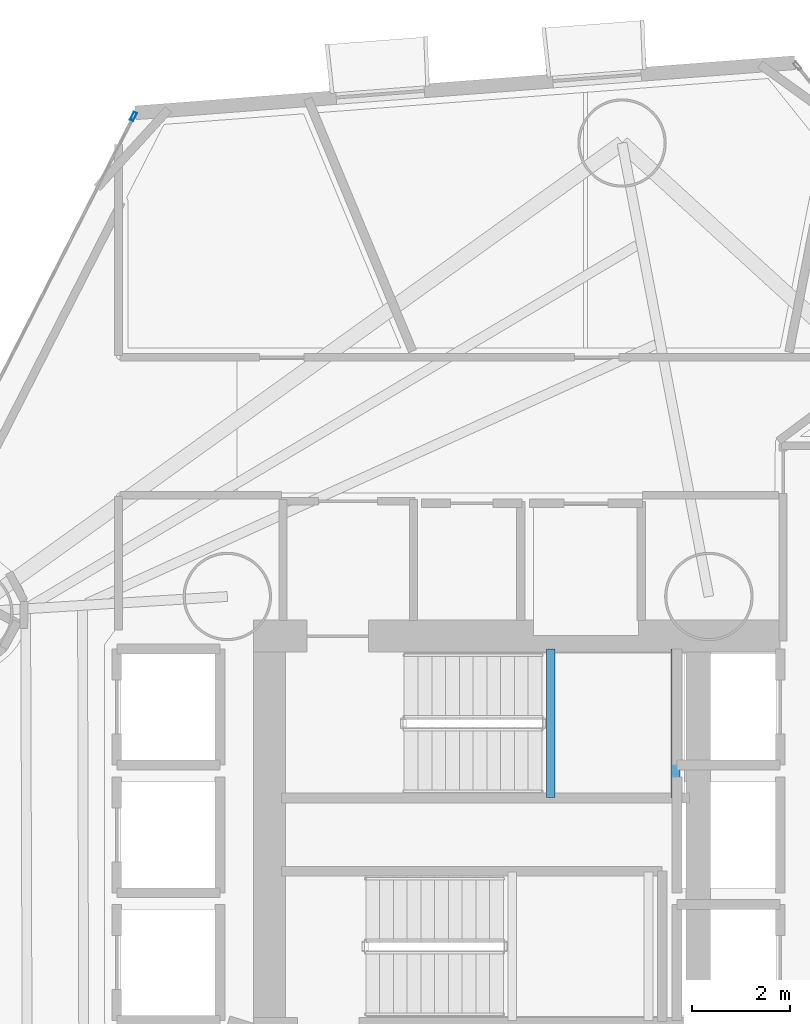
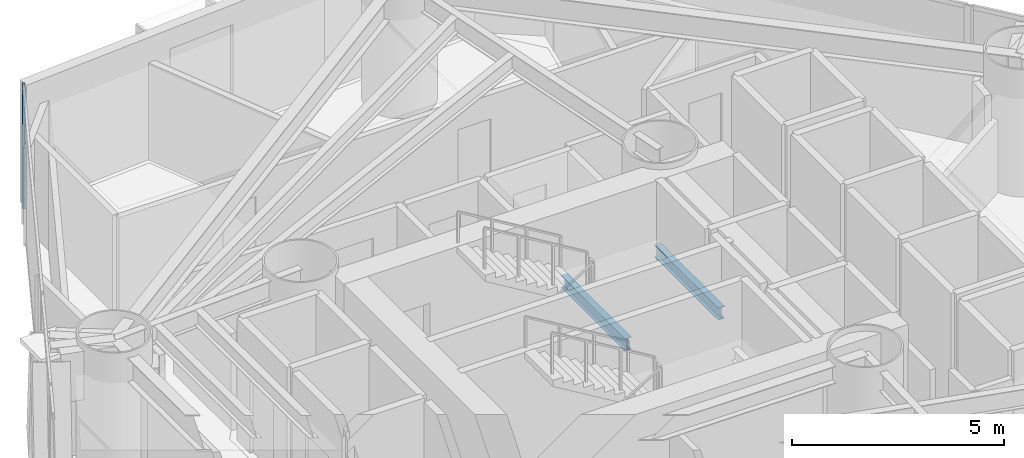
# One storey, part 9 of 23: 2 beams, 1 member, 1 element without a shape of its own.
"""IFC4 building model written with IfcOpenShell, lengths in metres."""

import ifcopenshell
import ifcopenshell.guid

model = None  # the IFC model being written
_history = None  # IfcOwnerHistory: only IFC2X3 demands one
_inside = {}  # id of a spatial element -> (the spatial element, [elements in it])
_under = {}  # id of a project, library or spatial element -> (it, [spatial elements below it])
_declared = {}  # id of a project -> (the project, [libraries it declares])
_typed = {}  # id of a type object -> (the type object, [elements of that type])
_made_of = {}  # id of a material, layer set ... -> (it, [elements and type objects made of it])


def new_model(schema):
    """Start an empty IFC model of exactly this schema.

    Asked for "IFC4X3", IfcOpenShell would pick the latest addendum, in which some entities
    have other attributes; the version numbers below select the first issue.
    IFC2X3 requires an IfcOwnerHistory on every rooted entity: one is made here for all.
    """
    global model, _history
    if schema == "IFC4X3":
        model = ifcopenshell.file(schema_version=(4, 3, 0, 0))
    else:
        model = ifcopenshell.file(schema=schema)
    _inside.clear()
    _under.clear()
    _declared.clear()
    _typed.clear()
    _made_of.clear()
    _history = None
    if model.schema == "IFC2X3":
        org = make("IfcOrganization", Name="unknown")
        user = make(
            "IfcPersonAndOrganization",
            ThePerson=make("IfcPerson", FamilyName="unknown"),
            TheOrganization=org,
        )
        app = make(
            "IfcApplication",
            ApplicationDeveloper=org,
            Version="unknown",
            ApplicationFullName="unknown",
            ApplicationIdentifier="unknown",
        )
        _history = make(
            "IfcOwnerHistory",
            OwningUser=user,
            OwningApplication=app,
            ChangeAction="ADDED",
            CreationDate=0,
        )
    return model


def make(cls, **values):
    """One entity of the class cls with the attributes given. An attribute that is None is left unset."""
    return model.create_entity(
        cls, **{name: value for name, value in values.items() if value is not None}
    )


def rooted(cls, **values):
    """An entity with a GlobalId (a new one), such as an element, a storey or a relation."""
    return make(cls, GlobalId=ifcopenshell.guid.new(), OwnerHistory=_history, **values)


def si_unit(unit_type, name, prefix=None):
    """IfcSIUnit, for example si_unit("LENGTHUNIT", "METRE", prefix="MILLI")."""
    return make("IfcSIUnit", UnitType=unit_type, Prefix=prefix, Name=name)


def assignment(units):
    """IfcUnitAssignment: the units of a project."""
    return None if units is None else make("IfcUnitAssignment", Units=units)


def point(xyz):
    """IfcCartesianPoint."""
    return None if xyz is None else make("IfcCartesianPoint", Coordinates=xyz)


def direction(xyz):
    """IfcDirection."""
    return None if xyz is None else make("IfcDirection", DirectionRatios=xyz)


def frame(location, z_axis=None, x_axis=None):
    """IfcAxis2Placement3D, a coordinate frame: its origin and axes. An axis left out is left unset."""
    return make(
        "IfcAxis2Placement3D",
        Location=point(location),
        Axis=direction(z_axis),
        RefDirection=direction(x_axis),
    )


def frame_2d(location, x_axis=None):
    """IfcAxis2Placement2D, a coordinate frame in the plane: its origin and x axis."""
    return make(
        "IfcAxis2Placement2D", Location=point(location), RefDirection=direction(x_axis)
    )


def origin():
    """The frame at (0, 0, 0) with its axes left unset."""
    return frame((0.0, 0.0, 0.0))


def origin_2d():
    """The frame at (0, 0) in the plane with its x axis left unset."""
    return frame_2d((0.0, 0.0))


def place(relative_to, where):
    """IfcLocalPlacement: puts the frame where relative to a parent placement (None: the world)."""
    return make(
        "IfcLocalPlacement", PlacementRelTo=relative_to, RelativePlacement=where
    )


def context(
    kind, dimensions, precision=None, world=None, true_north=None, identifier=None
):
    """IfcGeometricRepresentationContext, for example the 3D "Model" context."""
    return make(
        "IfcGeometricRepresentationContext",
        ContextIdentifier=identifier,
        ContextType=kind,
        CoordinateSpaceDimension=dimensions,
        Precision=precision,
        WorldCoordinateSystem=world,
        TrueNorth=true_north,
    )


def subcontext(parent, identifier, kind, view, scale=None):
    """IfcGeometricRepresentationSubContext, for example "Body" below "Model"."""
    return make(
        "IfcGeometricRepresentationSubContext",
        ContextIdentifier=identifier,
        ContextType=kind,
        ParentContext=parent,
        TargetScale=scale,
        TargetView=view,
    )


def project(units=None, contexts=None):
    """IfcProject with its units and contexts."""
    return rooted(
        "IfcProject",
        Name="project",
        RepresentationContexts=contexts,
        UnitsInContext=assignment(units),
    )


def spatial(cls, under=None, at=None, **own):
    """A site, building, storey or space (cls), placed at a placement, below another one or the project."""
    s = rooted(cls, ObjectPlacement=at, **own)
    if under is not None:
        _under.setdefault(under.id(), (under, []))[1].append(s)
    return s


def profile(cls, at=None, kind="AREA", **sizes):
    """A parametric profile (cls). Its sizes go by their IFC names, for example OverallWidth=200.0."""
    return make(cls, ProfileType=kind, Position=at, **sizes)


def hollow_rectangle(**sizes):
    """IfcRectangleHollowProfileDef."""
    return profile("IfcRectangleHollowProfileDef", **sizes)


def i_section(**sizes):
    """IfcIShapeProfileDef."""
    return profile("IfcIShapeProfileDef", **sizes)


def extrude(swept, where, along, depth):
    """IfcExtrudedAreaSolid: the profile swept, set in the frame where, extruded along a direction by depth."""
    return make(
        "IfcExtrudedAreaSolid",
        SweptArea=swept,
        Position=where,
        ExtrudedDirection=direction(along),
        Depth=depth,
    )


def shape(context_of_items, identifier, shape_type, items):
    """IfcShapeRepresentation: the items that make up one representation, for example the "Body"."""
    return make(
        "IfcShapeRepresentation",
        ContextOfItems=context_of_items,
        RepresentationIdentifier=identifier,
        RepresentationType=shape_type,
        Items=items,
    )


def material(Name=None, Category=None):
    """IfcMaterial."""
    return make("IfcMaterial", Name=Name, Category=Category)


def layer(
    of_material, thickness, ventilated=None, Name=None, Category=None, Priority=None
):
    """IfcMaterialLayer: one layer of a wall or slab, of a material (None: an air gap)."""
    return make(
        "IfcMaterialLayer",
        Material=of_material,
        LayerThickness=thickness,
        IsVentilated=ventilated,
        Name=Name,
        Category=Category,
        Priority=Priority,
    )


def layer_set(layers, Name=None):
    """IfcMaterialLayerSet."""
    return make("IfcMaterialLayerSet", MaterialLayers=layers, LayerSetName=Name)


def material_profile(
    of_material, cross_section, Name=None, Category=None, Priority=None
):
    """IfcMaterialProfile: a cross section and its material."""
    return make(
        "IfcMaterialProfile",
        Name=Name,
        Material=of_material,
        Profile=cross_section,
        Priority=Priority,
        Category=Category,
    )


def profile_set(profiles, Name=None, composite=None):
    """IfcMaterialProfileSet."""
    return make(
        "IfcMaterialProfileSet",
        Name=Name,
        MaterialProfiles=profiles,
        CompositeProfile=composite,
    )


def made_of(thing, what):
    """Note that an element or type object is made of a material, layer set ...; save() writes the relation."""
    if what is not None:
        _made_of.setdefault(what.id(), (what, []))[1].append(thing)
    return thing


def type_object(cls, material=None, **own):
    """A type object (cls), such as IfcWallType, which elements share."""
    return made_of(rooted(cls, **own), material)


def element(
    cls,
    number,
    at=None,
    inside=None,
    cuts=None,
    type_object=None,
    material=None,
    context=None,
    identifier="Body",
    shape_type=None,
    held_by="IfcProductDefinitionShape",
    body=None,
    shapes=None,
    **own,
):
    """One element of the class cls, such as IfcWall. Its Tag is "e" and its number.

    at: its placement. inside: the storey or other place that contains it. cuts: it is an
    opening in that element (IfcRelVoidsElement). A single representation is given by context,
    identifier, shape_type and body (its items); several are given by shapes. held_by: the class
    of the entity that holds the representations. save() writes the other relations.
    """
    e = rooted(cls, Tag="e%d" % number, ObjectPlacement=at, **own)
    if body is not None:
        shapes = [shape(context, identifier, shape_type, body)]
    if shapes is not None:
        e.Representation = make(held_by, Representations=shapes)
    if inside is not None:
        _inside.setdefault(inside.id(), (inside, []))[1].append(e)
    if cuts is not None:
        rooted(
            "IfcRelVoidsElement", RelatingBuildingElement=cuts, RelatedOpeningElement=e
        )
    if type_object is not None:
        _typed.setdefault(type_object.id(), (type_object, []))[1].append(e)
    return made_of(e, material)


def aggregate(whole, parts):
    """IfcRelAggregates: a whole, such as a stair, and the parts it consists of."""
    return rooted("IfcRelAggregates", RelatingObject=whole, RelatedObjects=parts)


def save(model, path):
    """Write the relations noted so far, then the file.

    IfcRelAggregates (storeys below a building ...), IfcRelContainedInSpatialStructure (elements
    in a storey), IfcRelDefinesByType, IfcRelAssociatesMaterial and IfcRelDeclares: one each for
    every whole, place, type object, material and project.
    """
    for whole, parts in _under.values():
        aggregate(whole, parts)
    for where, things in _inside.values():
        rooted(
            "IfcRelContainedInSpatialStructure",
            RelatedElements=things,
            RelatingStructure=where,
        )
    for kind, things in _typed.values():
        rooted("IfcRelDefinesByType", RelatedObjects=things, RelatingType=kind)
    for what, things in _made_of.values():
        rooted("IfcRelAssociatesMaterial", RelatedObjects=things, RelatingMaterial=what)
    for by, libraries in _declared.values():
        rooted("IfcRelDeclares", RelatingContext=by, RelatedDefinitions=libraries)
    model.write(path)


model = new_model("IFC4")

# Units and contexts
model_context = context("Model", 3, precision=1e-05, world=origin(), true_north=direction((0.0, 1.0)))
body_context = subcontext(model_context, "Body", "Model", "MODEL_VIEW")
ifc_project = project(units=[si_unit("LENGTHUNIT", "METRE"), si_unit("AREAUNIT", "SQUARE_METRE"), si_unit("VOLUMEUNIT", "CUBIC_METRE"), si_unit("PLANEANGLEUNIT", "RADIAN"), si_unit("MASSUNIT", "GRAM", prefix="KILO")], contexts=[model_context])

# Site, building, storey
site_placement = place(None, origin())
site = spatial("IfcSite", under=ifc_project, at=site_placement, CompositionType="ELEMENT")
building_placement = place(site_placement, origin())
building = spatial("IfcBuilding", under=site, at=building_placement, Name="Qianvela Tower", CompositionType="ELEMENT")
storey_placement = place(building_placement, frame((0.0, 0.0, 36.800048828125)))
storey = spatial("IfcBuildingStorey", under=building, at=storey_placement, Name="L08", CompositionType="ELEMENT", Elevation=36.800048828125)

# Beams
ifc_material_1 = material(Name="Steel Q355B", Category="steel")
ifc_material_profile_1 = material_profile(ifc_material_1, i_section(OverallWidth=0.175048828125, OverallDepth=0.35009765625, WebThickness=0.007080078125, FlangeThickness=0.010986328125, at=origin_2d()), Name="HN350x175x7x11")
ifc_profile_set_1 = profile_set([ifc_material_profile_1], Name="Steel Q355B")
beam_type = type_object("IfcBeamType", Name="BM-HN350-JOIST", PredefinedType="JOIST", material=ifc_profile_set_1)
for number, where, z_axis, x_axis, name in (
    (1, (35.179931640625, 29.4599609375, 1.474853515625), (0.0, 1.0, 0.0), (-1.0, 0.0, 0.0), "L08 Stair ST-1 Landing Support Beam 1.1"),
    (2, (37.719970703125, 29.4599609375, 1.474853515625), (0.0, 1.0, 0.0), (-1.0, 0.0, 0.0), "L08 Stair ST-1 Landing Support Beam 1.2"),
):
    element("IfcBeam", number, at=place(storey_placement, frame(where, z_axis=z_axis, x_axis=x_axis)), inside=storey, type_object=beam_type, Name=name, PredefinedType="JOIST", context=body_context, shape_type="SweptSolid", body=[
        extrude(i_section(OverallWidth=0.175048828125, OverallDepth=0.35009765625, WebThickness=0.007080078125, FlangeThickness=0.010986328125, at=origin_2d()), origin(), (0.0, 0.0, 1.0), 3.02001953125),
    ])

# Curtain wall, member
ifc_material_2 = material(Name="Anodised Architectural Aluminium and Low-E Glass", Category="aluminium")
ifc_layer = layer(ifc_material_2, 0.179931640625)
ifc_layer_set = layer_set([ifc_layer], Name="Anodised Architectural Aluminium and Low-E Glass")
curtain_wall_type = type_object("IfcCurtainWallType", Name="CW-COLIV-Z12", PredefinedType="USERDEFINED", material=ifc_layer_set)
curtain_wall_placement = place(storey_placement, origin())
curtain_wall = element("IfcCurtainWall", 3, at=curtain_wall_placement, inside=storey, type_object=curtain_wall_type, Name="L08 CW-COLIV-Z12 Curtain Wall 04A", ObjectType="CURTAIN_WALL_SYSTEM", PredefinedType="USERDEFINED")
ifc_material_3 = material(Name="Anodised Architectural Aluminium 6063-T6", Category="aluminium")
ifc_material_profile_2 = material_profile(ifc_material_3, hollow_rectangle(XDim=0.070068359375, YDim=0.179931640625, WallThickness=0.0048828125, at=origin_2d()), Name="ALU-MULL-70x180")
ifc_profile_set_2 = profile_set([ifc_material_profile_2], Name="Anodised Architectural Aluminium 6063-T6")
member_type = type_object("IfcMemberType", Name="CW-COLIV-Z12-MULL", PredefinedType="MULLION", material=ifc_profile_set_2)
member_placement = place(storey_placement, frame((26.69091796875, 43.317626953125, 0.0), z_axis=(0.0, 0.0, 1.0), x_axis=(0.890689437434, -0.454612281008, 0.0)))
member = element("IfcMember", 4, at=member_placement, type_object=member_type, Name="CW-3 mullion 1", PredefinedType="MULLION", context=body_context, shape_type="SweptSolid", body=[
    extrude(hollow_rectangle(XDim=0.070068359375, YDim=0.179931640625, WallThickness=0.0048828125, at=origin_2d()), origin(), (0.0, 0.0, 1.0), 3.52001953125),
])
aggregate(curtain_wall, [member])

save(model, "model.ifc")
